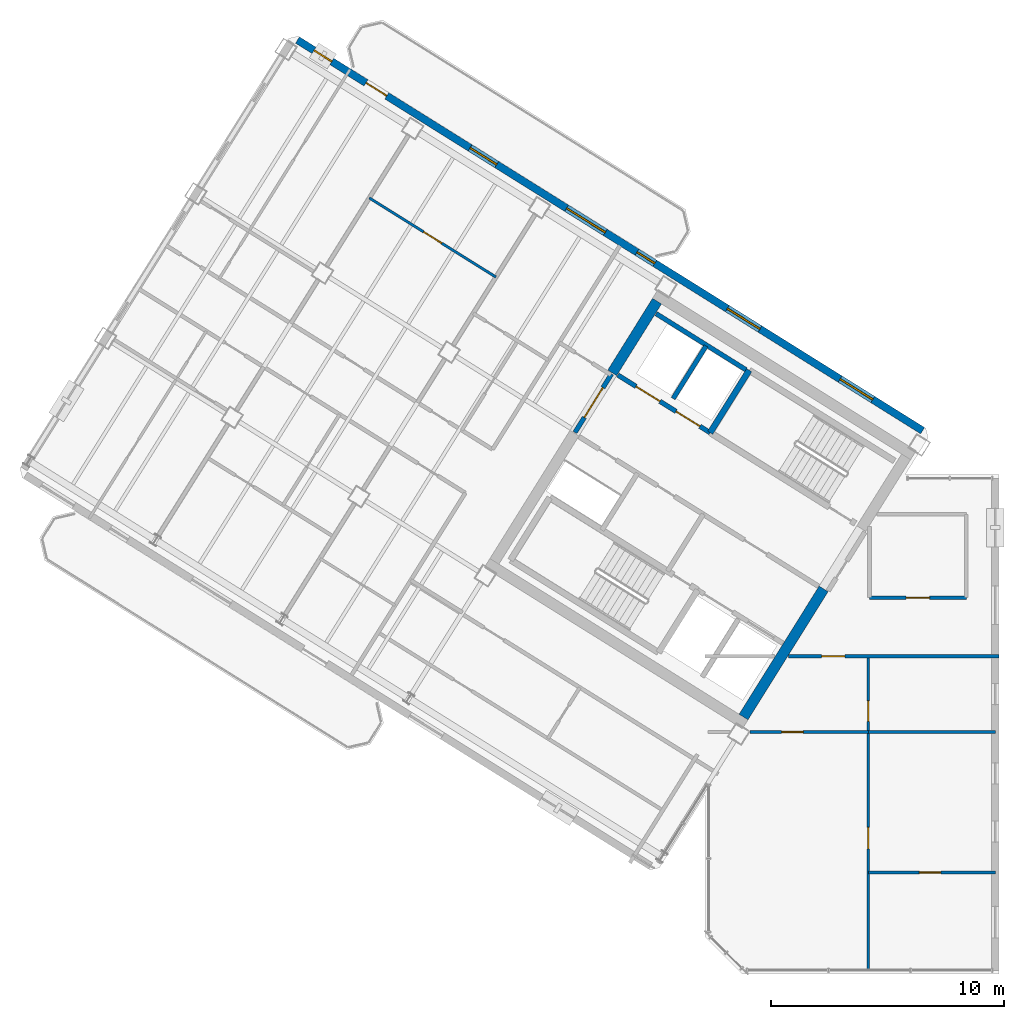
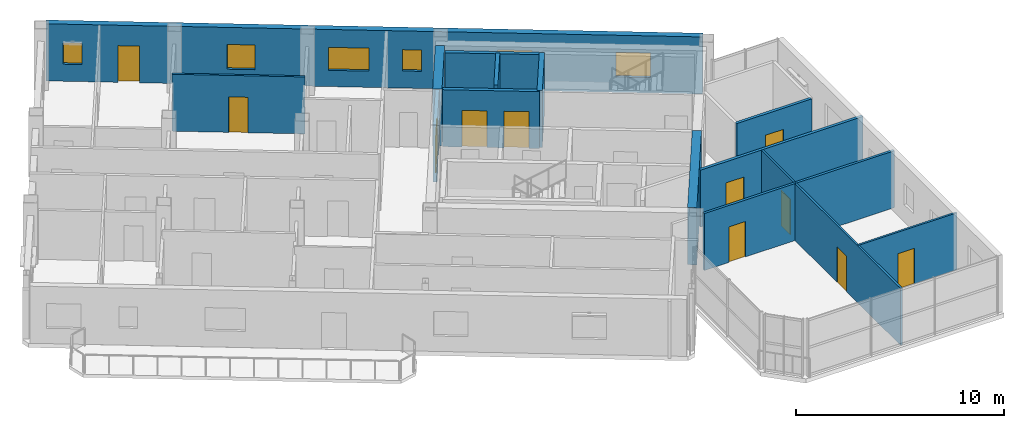
# One storey, part 10 of 15: 15 walls, 11 doors, 6 windows, 17 openings.
"""IFC4 building model written with IfcOpenShell, lengths in metres."""

from ifc_helpers import new_model, si_unit, direction, frame, frame_2d, origin, place, context, subcontext, project, spatial, rectangle, extrude, source, transform, mapped, material, layer, layer_set, type_object, element, fill, save


model = new_model("IFC4")

# Units and contexts
model_context = context("Model", 3, precision=1e-05, world=origin(), true_north=direction((0.0, 1.0)))
body_context = subcontext(model_context, "Body", "Model", "MODEL_VIEW")
ifc_project = project(units=[si_unit("LENGTHUNIT", "METRE"), si_unit("AREAUNIT", "SQUARE_METRE"), si_unit("VOLUMEUNIT", "CUBIC_METRE"), si_unit("PLANEANGLEUNIT", "RADIAN"), si_unit("MASSUNIT", "GRAM", prefix="KILO")], contexts=[model_context])

# Site, building, storey
site_placement = place(None, origin())
site = spatial("IfcSite", under=ifc_project, at=site_placement, CompositionType="ELEMENT")
building_placement = place(site_placement, origin())
building = spatial("IfcBuilding", under=site, at=building_placement, Name="Tlacorven Tower", CompositionType="ELEMENT")
storey_placement = place(building_placement, frame((0.0, 0.0, 266.39990234375)))
storey = spatial("IfcBuildingStorey", under=building, at=storey_placement, Name="L67", CompositionType="ELEMENT", Elevation=266.39990234375)

# Walls
ifc_material_1 = material(Name="Concrete C50/60", Category="concrete")
ifc_layer_1 = layer(ifc_material_1, 0.449951171875)
ifc_layer_set_1 = layer_set([ifc_layer_1], Name="Concrete C50/60")
wall_type_1 = type_object("IfcWallType", Name="WL-COR-450", PredefinedType="SHEAR", material=ifc_layer_set_1)
wall_1_placement = place(storey_placement, frame((36.683349609375, 18.30419921875, 0.0), z_axis=(0.0, 0.0, 1.0), x_axis=(-0.529904039071, -0.848057609704, 0.0)))
element("IfcWall", 1, at=wall_1_placement, inside=storey, type_object=wall_type_1, Name="L67 W core end wall E1.2", PredefinedType="SHEAR", context=body_context, shape_type="SweptSolid", body=[
    extrude(rectangle(XDim=6.47509765625, YDim=0.449951171875, at=frame_2d((3.237548828125, 0.0))), origin(), (0.0, 0.0, 1.0), 3.35009765625),
])
wall_2_placement = place(storey_placement, frame((29.543701171875, 30.636474609375, 0.0), z_axis=(0.0, 0.0, 1.0), x_axis=(-0.529902075036, -0.848058836916, 0.0)))
element("IfcWall", 2, at=wall_2_placement, inside=storey, type_object=wall_type_1, Name="L67 W core end wall E2.1", PredefinedType="SHEAR", context=body_context, shape_type="SweptSolid", body=[
    extrude(rectangle(XDim=3.625, YDim=0.449951171875, at=frame_2d((1.8125, 0.0))), origin(), (0.0, 0.0, 1.0), 3.35009765625),
])

# Wall, opening, door
ifc_material_2 = material(Name="Gypsum plasterboard acoustic partition", Category="gypsum")
ifc_layer_2 = layer(ifc_material_2, 0.159912109375)
ifc_layer_set_2 = layer_set([ifc_layer_2], Name="Gypsum plasterboard acoustic partition")
wall_type_2 = type_object("IfcWallType", Name="WL-DEM-160", PredefinedType="PARTITIONING", material=ifc_layer_set_2)
wall_3_placement = place(storey_placement, frame((35.178466796875, 15.419921875, 0.0), z_axis=(0.0, 0.0, 1.0), x_axis=(1.0, 0.0, 0.0)))
wall_3 = element("IfcWall", 3, at=wall_3_placement, inside=storey, type_object=wall_type_2, Name="L67 Knuckle Corridor South Wall", PredefinedType="PARTITIONING", context=body_context, shape_type="SweptSolid", body=[
    extrude(rectangle(XDim=9.021484375, YDim=0.159912109375, at=frame_2d((4.5107421875, 0.0))), origin(), (0.0, 0.0, 1.0), 3.340087890625),
])
opening_1_placement = place(wall_3_placement, frame((1.421630859375, 0.0, 0.0)))
opening_1 = element("IfcOpeningElement", 4, at=opening_1_placement, cuts=wall_3, Name="Opening D11", PredefinedType="OPENING", context=body_context, shape_type="SweptSolid", body=[
    extrude(rectangle(XDim=1.0, YDim=2.10009765625, at=frame_2d((0.5, 1.050048828125))), frame((0.0, 0.08984375, 0.0), z_axis=(0.0, -1.0, 0.0), x_axis=(1.0, 0.0, 0.0)), (0.0, 0.0, 1.0), 0.179931640625),
])
ifc_material_3 = material(Name="Fire-rated steel door assembly", Category="steel")
door_type_1 = type_object("IfcDoorType", Name="DR-FLT-FD60-1000", OperationType="NOTDEFINED", PredefinedType="DOOR", material=ifc_material_3)
shared_shape_1 = source(origin(), body_context, "Body", "SweptSolid", [
    extrude(rectangle(XDim=1.0, YDim=2.10009765625, at=frame_2d((0.5, 1.050048828125))), frame((0.0, 0.02490234375, 0.0), z_axis=(0.0, -1.0, 0.0), x_axis=(1.0, 0.0, 0.0)), (0.0, 0.0, 1.0), 0.050048828125),
])
door_1_placement = place(opening_1_placement, frame((1.0, 0.0, 0.0), z_axis=(0.0, 0.0, 1.0), x_axis=(-1.0, 0.0, 0.0)))
door_1 = element("IfcDoor", 5, at=door_1_placement, inside=storey, type_object=door_type_1, Name="L67 door 039", OperationType="SINGLE_SWING_LEFT", OverallHeight=2.10009765625, OverallWidth=1.0, PredefinedType="DOOR", context=body_context, shape_type="MappedRepresentation", body=[
    mapped(shared_shape_1, transform((0.0, 0.0, 0.0), scale=1.0)),
])
fill(opening_1, door_1)

wall_4_placement = place(storey_placement, frame((38.64990234375, 17.929931640625, 0.0), z_axis=(0.0, 0.0, 1.0), x_axis=(1.0, 0.0, 0.0)))
wall_4 = element("IfcWall", 6, at=wall_4_placement, inside=storey, type_object=wall_type_2, Name="L67 partition 50", PredefinedType="PARTITIONING", context=body_context, shape_type="SweptSolid", body=[
    extrude(rectangle(XDim=4.150146484375, YDim=0.159912109375, at=frame_2d((2.0751953125, 0.0))), origin(), (0.0, 0.0, 1.0), 3.340087890625),
])
opening_2_placement = place(wall_4_placement, frame((1.574951171875, 0.0, 0.0)))
opening_2 = element("IfcOpeningElement", 7, at=opening_2_placement, cuts=wall_4, Name="Opening D11", PredefinedType="OPENING", context=body_context, shape_type="SweptSolid", body=[
    extrude(rectangle(XDim=1.0, YDim=2.10009765625, at=frame_2d((0.5, 1.050048828125))), frame((0.0, 0.08984375, 0.0), z_axis=(0.0, -1.0, 0.0), x_axis=(1.0, 0.0, 0.0)), (0.0, 0.0, 1.0), 0.179931640625),
])
door_2_placement = place(opening_2_placement, origin())
door_2 = element("IfcDoor", 8, at=door_2_placement, inside=storey, type_object=door_type_1, Name="L67 door 035", OperationType="SINGLE_SWING_RIGHT", OverallHeight=2.10009765625, OverallWidth=1.0, PredefinedType="DOOR", context=body_context, shape_type="MappedRepresentation", body=[
    mapped(shared_shape_1, transform((0.0, 0.0, 0.0), scale=1.0)),
])
fill(opening_2, door_2)

# Wall, openings, door, windows
ifc_material_4 = material(Name="Precast concrete C45/55", Category="concrete")
ifc_layer_3 = layer(ifc_material_4, 0.320068359375)
ifc_layer_set_3 = layer_set([ifc_layer_3], Name="Precast concrete C45/55")
wall_type_3 = type_object("IfcWallType", Name="WL-EXT-320", PredefinedType="STANDARD", material=ifc_layer_set_3)
wall_5_placement = place(storey_placement, frame((14.13818359375, 41.825439453125, 0.0), z_axis=(0.0, 0.0, 1.0), x_axis=(0.848046498049, -0.529921821731, 0.0)))
wall_5 = element("IfcWall", 9, at=wall_5_placement, inside=storey, type_object=wall_type_3, Name="L67 Masonry-Frame Recessed Facade Wall 4", PredefinedType="STANDARD", context=body_context, shape_type="SweptSolid", body=[
    extrude(rectangle(XDim=31.587646484375, YDim=0.320068359375, at=frame_2d((15.7939453125, 0.0))), origin(), (0.0, 0.0, 1.0), 3.35009765625),
])
opening_3_placement = place(wall_5_placement, frame((3.4599609375, 0.0, 0.0)))
opening_3 = element("IfcOpeningElement", 10, at=opening_3_placement, cuts=wall_5, Name="Opening D06", PredefinedType="OPENING", context=body_context, shape_type="SweptSolid", body=[
    extrude(rectangle(XDim=1.050048828125, YDim=2.14990234375, at=frame_2d((0.52490234375, 1.074951171875))), frame((0.0, 0.169921875, 0.0), z_axis=(0.0, -1.0, 0.0), x_axis=(1.0, 0.0, 0.0)), (0.0, 0.0, 1.0), 0.340087890625),
])
opening_4_placement = place(wall_5_placement, frame((0.831298828125, 0.0, 1.0)))
opening_4 = element("IfcOpeningElement", 11, at=opening_4_placement, cuts=wall_5, Name="Opening WN05", PredefinedType="OPENING", context=body_context, shape_type="SweptSolid", body=[
    extrude(rectangle(XDim=0.89990234375, YDim=1.25, at=frame_2d((0.449951171875, 0.625))), frame((0.0, 0.169921875, 0.0), z_axis=(0.0, -1.0, 0.0), x_axis=(1.0, 0.0, 0.0)), (0.0, 0.0, 1.0), 0.340087890625),
])
opening_5_placement = place(wall_5_placement, frame((8.71875, 0.0, 0.89990234375)))
opening_5 = element("IfcOpeningElement", 12, at=opening_5_placement, cuts=wall_5, Name="Opening WN08", PredefinedType="OPENING", context=body_context, shape_type="SweptSolid", body=[
    extrude(rectangle(XDim=1.35009765625, YDim=1.449951171875, at=frame_2d((0.675048828125, 0.72509765625))), frame((0.0, 0.169921875, 0.0), z_axis=(0.0, -1.0, 0.0), x_axis=(1.0, 0.0, 0.0)), (0.0, 0.0, 1.0), 0.340087890625),
])
opening_6_placement = place(wall_5_placement, frame((13.5986328125, 0.0, 0.949951171875)))
opening_6 = element("IfcOpeningElement", 13, at=opening_6_placement, cuts=wall_5, Name="Opening WN09", PredefinedType="OPENING", context=body_context, shape_type="SweptSolid", body=[
    extrude(rectangle(XDim=1.949951171875, YDim=1.35009765625, at=frame_2d((0.97509765625, 0.675048828125))), frame((0.0, 0.169921875, 0.0), z_axis=(0.0, -1.0, 0.0), x_axis=(1.0, 0.0, 0.0)), (0.0, 0.0, 1.0), 0.340087890625),
])
opening_7_placement = place(wall_5_placement, frame((17.15380859375, 0.0, 1.0)))
opening_7 = element("IfcOpeningElement", 14, at=opening_7_placement, cuts=wall_5, Name="Opening WN05", PredefinedType="OPENING", context=body_context, shape_type="SweptSolid", body=[
    extrude(rectangle(XDim=0.89990234375, YDim=1.25, at=frame_2d((0.449951171875, 0.625))), frame((0.0, 0.169921875, 0.0), z_axis=(0.0, -1.0, 0.0), x_axis=(1.0, 0.0, 0.0)), (0.0, 0.0, 1.0), 0.340087890625),
])
opening_8_placement = place(wall_5_placement, frame((21.71875, 0.0, 0.89990234375)))
opening_8 = element("IfcOpeningElement", 15, at=opening_8_placement, cuts=wall_5, Name="Opening WN07", PredefinedType="OPENING", context=body_context, shape_type="SweptSolid", body=[
    extrude(rectangle(XDim=1.64990234375, YDim=1.449951171875, at=frame_2d((0.824951171875, 0.72509765625))), frame((0.0, 0.169921875, 0.0), z_axis=(0.0, -1.0, 0.0), x_axis=(1.0, 0.0, 0.0)), (0.0, 0.0, 1.0), 0.340087890625),
])
opening_9_placement = place(wall_5_placement, frame((27.418701171875, 0.0, 0.89990234375)))
opening_9 = element("IfcOpeningElement", 16, at=opening_9_placement, cuts=wall_5, Name="Opening WN07", PredefinedType="OPENING", context=body_context, shape_type="SweptSolid", body=[
    extrude(rectangle(XDim=1.64990234375, YDim=1.449951171875, at=frame_2d((0.824951171875, 0.72509765625))), frame((0.0, 0.169921875, 0.0), z_axis=(0.0, -1.0, 0.0), x_axis=(1.0, 0.0, 0.0)), (0.0, 0.0, 1.0), 0.340087890625),
])
ifc_material_5 = material(Name="Powder-coated aluminium and timber door", Category="wood")
door_type_2 = type_object("IfcDoorType", Name="DR-EXT-BALC-1050", OperationType="NOTDEFINED", PredefinedType="DOOR", material=ifc_material_5)
shared_shape_2 = source(origin(), body_context, "Body", "SweptSolid", [
    extrude(rectangle(XDim=1.050048828125, YDim=2.14990234375, at=frame_2d((0.52490234375, 1.074951171875))), frame((0.0, 0.02490234375, 0.0), z_axis=(0.0, -1.0, 0.0), x_axis=(1.0, 0.0, 0.0)), (0.0, 0.0, 1.0), 0.050048828125),
])
door_3_placement = place(opening_3_placement, origin())
door_3 = element("IfcDoor", 17, at=door_3_placement, inside=storey, type_object=door_type_2, Name="L67 Outdoor Access Door BAL-L67-W-IN", OperationType="SINGLE_SWING_RIGHT", OverallHeight=2.14990234375, OverallWidth=1.050048828125, PredefinedType="DOOR", context=body_context, shape_type="MappedRepresentation", body=[
    mapped(shared_shape_2, transform((0.0, 0.0, 0.0), scale=1.0)),
])
fill(opening_3, door_3)
ifc_material_6 = material(Name="Dark solar low-E double glazing in anodised aluminium frame", Category="aluminium")
window_type_1 = type_object("IfcWindowType", Name="WN-APT-0900X1350", PartitioningType="SINGLE_PANEL", PredefinedType="WINDOW", material=ifc_material_6)
shared_shape_3 = source(origin(), body_context, "Body", "SweptSolid", [
    extrude(rectangle(XDim=0.89990234375, YDim=1.25, at=frame_2d((0.449951171875, 0.625))), frame((0.0, 0.030029296875, 0.0), z_axis=(0.0, -1.0, 0.0), x_axis=(1.0, 0.0, 0.0)), (0.0, 0.0, 1.0), 0.06005859375),
])
window_1_placement = place(opening_4_placement, origin())
window_1 = element("IfcWindow", 18, at=window_1_placement, inside=storey, type_object=window_type_1, Name="L67 Recessed Masonry-Frame Window L67-04.1", OverallHeight=1.25, OverallWidth=0.89990234375, PartitioningType="SINGLE_PANEL", PredefinedType="WINDOW", context=body_context, shape_type="MappedRepresentation", body=[
    mapped(shared_shape_3, transform((0.0, 0.0, 0.0), scale=1.0)),
])
fill(opening_4, window_1)
window_2_placement = place(opening_7_placement, origin())
window_2 = element("IfcWindow", 19, at=window_2_placement, inside=storey, type_object=window_type_1, Name="L67 Recessed Masonry-Frame Window L67-04.4", OverallHeight=1.25, OverallWidth=0.89990234375, PartitioningType="SINGLE_PANEL", PredefinedType="WINDOW", context=body_context, shape_type="MappedRepresentation", body=[
    mapped(shared_shape_3, transform((0.0, 0.0, 0.0), scale=1.0)),
])
fill(opening_7, window_2)
window_type_2 = type_object("IfcWindowType", Name="WN-APT-1650X1600", PartitioningType="SINGLE_PANEL", PredefinedType="WINDOW", material=ifc_material_6)
shared_shape_4 = source(origin(), body_context, "Body", "SweptSolid", [
    extrude(rectangle(XDim=1.64990234375, YDim=1.449951171875, at=frame_2d((0.824951171875, 0.72509765625))), frame((0.0, 0.030029296875, 0.0), z_axis=(0.0, -1.0, 0.0), x_axis=(1.0, 0.0, 0.0)), (0.0, 0.0, 1.0), 0.06005859375),
])
window_3_placement = place(opening_8_placement, origin())
window_3 = element("IfcWindow", 20, at=window_3_placement, inside=storey, type_object=window_type_2, Name="L67 Recessed Masonry-Frame Window L67-04.5", OverallHeight=1.449951171875, OverallWidth=1.64990234375, PartitioningType="SINGLE_PANEL", PredefinedType="WINDOW", context=body_context, shape_type="MappedRepresentation", body=[
    mapped(shared_shape_4, transform((0.0, 0.0, 0.0), scale=1.0)),
])
fill(opening_8, window_3)
window_4_placement = place(opening_9_placement, origin())
window_4 = element("IfcWindow", 21, at=window_4_placement, inside=storey, type_object=window_type_2, Name="L67 Recessed Masonry-Frame Window L67-04.6", OverallHeight=1.449951171875, OverallWidth=1.64990234375, PartitioningType="SINGLE_PANEL", PredefinedType="WINDOW", context=body_context, shape_type="MappedRepresentation", body=[
    mapped(shared_shape_4, transform((0.0, 0.0, 0.0), scale=1.0)),
])
fill(opening_9, window_4)
window_type_3 = type_object("IfcWindowType", Name="WN-APT-1350X1550", PartitioningType="SINGLE_PANEL", PredefinedType="WINDOW", material=ifc_material_6)
shared_shape_5 = source(origin(), body_context, "Body", "SweptSolid", [
    extrude(rectangle(XDim=1.35009765625, YDim=1.449951171875, at=frame_2d((0.675048828125, 0.72509765625))), frame((0.0, 0.030029296875, 0.0), z_axis=(0.0, -1.0, 0.0), x_axis=(1.0, 0.0, 0.0)), (0.0, 0.0, 1.0), 0.06005859375),
])
window_5_placement = place(opening_5_placement, origin())
window_5 = element("IfcWindow", 22, at=window_5_placement, inside=storey, type_object=window_type_3, Name="L67 Recessed Masonry-Frame Window L67-04.2", OverallHeight=1.449951171875, OverallWidth=1.35009765625, PartitioningType="SINGLE_PANEL", PredefinedType="WINDOW", context=body_context, shape_type="MappedRepresentation", body=[
    mapped(shared_shape_5, transform((0.0, 0.0, 0.0), scale=1.0)),
])
fill(opening_5, window_5)
window_type_4 = type_object("IfcWindowType", Name="WN-GAL-1950X1450", PartitioningType="SINGLE_PANEL", PredefinedType="WINDOW", material=ifc_material_6)
shared_shape_6 = source(origin(), body_context, "Body", "SweptSolid", [
    extrude(rectangle(XDim=1.949951171875, YDim=1.35009765625, at=frame_2d((0.97509765625, 0.675048828125))), frame((0.0, 0.030029296875, 0.0), z_axis=(0.0, -1.0, 0.0), x_axis=(1.0, 0.0, 0.0)), (0.0, 0.0, 1.0), 0.06005859375),
])
window_6_placement = place(opening_6_placement, origin())
window_6 = element("IfcWindow", 23, at=window_6_placement, inside=storey, type_object=window_type_4, Name="L67 Recessed Masonry-Frame Window L67-04.3", OverallHeight=1.35009765625, OverallWidth=1.949951171875, PartitioningType="SINGLE_PANEL", PredefinedType="WINDOW", context=body_context, shape_type="MappedRepresentation", body=[
    mapped(shared_shape_6, transform((0.0, 0.0, 0.0), scale=1.0)),
])
fill(opening_6, window_6)

# Wall, opening, door
ifc_material_7 = material(Name="Gypsum plasterboard partition", Category="gypsum")
ifc_layer_4 = layer(ifc_material_7, 0.110107421875)
ifc_layer_set_4 = layer_set([ifc_layer_4], Name="Gypsum plasterboard partition")
wall_type_4 = type_object("IfcWallType", Name="WL-INT-110", PredefinedType="PARTITIONING", material=ifc_layer_set_4)
wall_6_placement = place(storey_placement, frame((22.6416015625, 31.66796875, 0.0), z_axis=(0.0, 0.0, 1.0), x_axis=(-0.84806687439, 0.529889211593, 0.0)))
wall_6 = element("IfcWall", 24, at=wall_6_placement, inside=storey, type_object=wall_type_4, Name="L67 partition 39", PredefinedType="PARTITIONING", context=body_context, shape_type="SweptSolid", body=[
    extrude(rectangle(XDim=6.400146484375, YDim=0.110107421875, at=frame_2d((3.2001953125, 0.0))), origin(), (0.0, 0.0, 1.0), 3.340087890625),
])
opening_10_placement = place(wall_6_placement, frame((2.739990234375, 0.0, 0.0)))
opening_10 = element("IfcOpeningElement", 25, at=opening_10_placement, cuts=wall_6, Name="Opening D12", PredefinedType="OPENING", context=body_context, shape_type="SweptSolid", body=[
    extrude(rectangle(XDim=0.919921875, YDim=2.080078125, at=frame_2d((0.4599609375, 1.0400390625))), frame((0.0, 0.06494140625, 0.0), z_axis=(0.0, -1.0, 0.0), x_axis=(1.0, 0.0, 0.0)), (0.0, 0.0, 1.0), 0.130126953125),
])
door_type_3 = type_object("IfcDoorType", Name="DR-INT-ROOM-0920", OperationType="NOTDEFINED", PredefinedType="DOOR", material=ifc_material_5)
shared_shape_7 = source(origin(), body_context, "Body", "SweptSolid", [
    extrude(rectangle(XDim=0.919921875, YDim=2.080078125, at=frame_2d((0.4599609375, 1.0400390625))), frame((0.0, 0.02490234375, 0.0), z_axis=(0.0, -1.0, 0.0), x_axis=(1.0, 0.0, 0.0)), (0.0, 0.0, 1.0), 0.050048828125),
])
door_4_placement = place(opening_10_placement, origin())
door_4 = element("IfcDoor", 26, at=door_4_placement, inside=storey, type_object=door_type_3, Name="L67 door 026", OperationType="SINGLE_SWING_LEFT", OverallHeight=2.080078125, OverallWidth=0.919921875, PredefinedType="DOOR", context=body_context, shape_type="MappedRepresentation", body=[
    mapped(shared_shape_7, transform((0.0, 0.0, 0.0), scale=1.0)),
])
fill(opening_10, door_4)

# Wall, openings, doors
wall_7_placement = place(storey_placement, frame((38.60009765625, 1.9599609375, 0.0), z_axis=(0.0, 0.0, 1.0), x_axis=(0.0, 1.0, 0.0)))
wall_7 = element("IfcWall", 27, at=wall_7_placement, inside=storey, type_object=wall_type_4, Name="L67 partition 54", PredefinedType="PARTITIONING", context=body_context, shape_type="SweptSolid", body=[
    extrude(rectangle(XDim=13.4599609375, YDim=0.110107421875, at=frame_2d((6.72998046875, 0.0))), origin(), (0.0, 0.0, 1.0), 3.340087890625),
])
opening_11_placement = place(wall_7_placement, frame((5.199951171875, 0.0, 0.0)))
opening_11 = element("IfcOpeningElement", 28, at=opening_11_placement, cuts=wall_7, Name="Opening D12", PredefinedType="OPENING", context=body_context, shape_type="SweptSolid", body=[
    extrude(rectangle(XDim=0.919921875, YDim=2.080078125, at=frame_2d((0.4599609375, 1.0400390625))), frame((0.0, 0.06494140625, 0.0), z_axis=(0.0, -1.0, 0.0), x_axis=(1.0, 0.0, 0.0)), (0.0, 0.0, 1.0), 0.130126953125),
])
opening_12_placement = place(wall_7_placement, frame((10.669921875, 0.0, 0.0)))
opening_12 = element("IfcOpeningElement", 29, at=opening_12_placement, cuts=wall_7, Name="Opening D13", PredefinedType="OPENING", context=body_context, shape_type="SweptSolid", body=[
    extrude(rectangle(XDim=0.8798828125, YDim=2.080078125, at=frame_2d((0.43994140625, 1.0400390625))), frame((0.0, 0.06494140625, 0.0), z_axis=(0.0, -1.0, 0.0), x_axis=(1.0, 0.0, 0.0)), (0.0, 0.0, 1.0), 0.130126953125),
])
door_type_4 = type_object("IfcDoorType", Name="DR-INT-WET-0880", OperationType="NOTDEFINED", PredefinedType="DOOR", material=ifc_material_5)
shared_shape_8 = source(origin(), body_context, "Body", "SweptSolid", [
    extrude(rectangle(XDim=0.8798828125, YDim=2.080078125, at=frame_2d((0.43994140625, 1.0400390625))), frame((0.0, 0.02490234375, 0.0), z_axis=(0.0, -1.0, 0.0), x_axis=(1.0, 0.0, 0.0)), (0.0, 0.0, 1.0), 0.050048828125),
])
door_5_placement = place(opening_12_placement, origin())
door_5 = element("IfcDoor", 30, at=door_5_placement, inside=storey, type_object=door_type_4, Name="L67 door 041", OperationType="SINGLE_SWING_LEFT", OverallHeight=2.080078125, OverallWidth=0.8798828125, PredefinedType="DOOR", context=body_context, shape_type="MappedRepresentation", body=[
    mapped(shared_shape_8, transform((0.0, 0.0, 0.0), scale=1.0)),
])
fill(opening_12, door_5)
door_6_placement = place(opening_11_placement, origin())
door_6 = element("IfcDoor", 31, at=door_6_placement, inside=storey, type_object=door_type_3, Name="L67 door 037", OperationType="SINGLE_SWING_LEFT", OverallHeight=2.080078125, OverallWidth=0.919921875, PredefinedType="DOOR", context=body_context, shape_type="MappedRepresentation", body=[
    mapped(shared_shape_7, transform((0.0, 0.0, 0.0), scale=1.0)),
])
fill(opening_11, door_6)

# Wall, opening, door
wall_8_placement = place(storey_placement, frame((38.60009765625, 6.14990234375, 0.0), z_axis=(0.0, 0.0, 1.0), x_axis=(1.0, 0.0, 0.0)))
wall_8 = element("IfcWall", 32, at=wall_8_placement, inside=storey, type_object=wall_type_4, Name="L67 partition 57", PredefinedType="PARTITIONING", context=body_context, shape_type="SweptSolid", body=[
    extrude(rectangle(XDim=5.4599609375, YDim=0.110107421875, at=frame_2d((2.72998046875, 0.0))), origin(), (0.0, 0.0, 1.0), 3.340087890625),
])
opening_13_placement = place(wall_8_placement, frame((2.18994140625, 0.0, 0.0)))
opening_13 = element("IfcOpeningElement", 33, at=opening_13_placement, cuts=wall_8, Name="Opening D12", PredefinedType="OPENING", context=body_context, shape_type="SweptSolid", body=[
    extrude(rectangle(XDim=0.919921875, YDim=2.080078125, at=frame_2d((0.4599609375, 1.0400390625))), frame((0.0, 0.06494140625, 0.0), z_axis=(0.0, -1.0, 0.0), x_axis=(1.0, 0.0, 0.0)), (0.0, 0.0, 1.0), 0.130126953125),
])
door_7_placement = place(opening_13_placement, origin())
door_7 = element("IfcDoor", 34, at=door_7_placement, inside=storey, type_object=door_type_3, Name="L67 door 038", OperationType="SINGLE_SWING_RIGHT", OverallHeight=2.080078125, OverallWidth=0.919921875, PredefinedType="DOOR", context=body_context, shape_type="MappedRepresentation", body=[
    mapped(shared_shape_7, transform((0.0, 0.0, 0.0), scale=1.0)),
])
fill(opening_13, door_7)

ifc_material_8 = material(Name="Moisture-resistant gypsum plumbing wall", Category="gypsum")
ifc_layer_5 = layer(ifc_material_8, 0.139892578125)
ifc_layer_set_5 = layer_set([ifc_layer_5], Name="Moisture-resistant gypsum plumbing wall")
wall_type_5 = type_object("IfcWallType", Name="WL-PLM-140", PredefinedType="PLUMBINGWALL", material=ifc_layer_set_5)
wall_9_placement = place(storey_placement, frame((33.52490234375, 12.169921875, 0.0), z_axis=(0.0, 0.0, 1.0), x_axis=(1.0, 0.0, 0.0)))
wall_9 = element("IfcWall", 35, at=wall_9_placement, inside=storey, type_object=wall_type_5, Name="L67 partition 55", PredefinedType="PLUMBINGWALL", context=body_context, shape_type="SweptSolid", body=[
    extrude(rectangle(XDim=5.0751953125, YDim=0.139892578125, at=frame_2d((2.53759765625, 0.0))), origin(), (0.0, 0.0, 1.0), 3.340087890625),
])
opening_14_placement = place(wall_9_placement, frame((1.364990234375, 0.0, 0.0)))
opening_14 = element("IfcOpeningElement", 36, at=opening_14_placement, cuts=wall_9, Name="Opening D12", PredefinedType="OPENING", context=body_context, shape_type="SweptSolid", body=[
    extrude(rectangle(XDim=0.919921875, YDim=2.080078125, at=frame_2d((0.4599609375, 1.0400390625))), frame((0.0, 0.080078125, 0.0), z_axis=(0.0, -1.0, 0.0), x_axis=(1.0, 0.0, 0.0)), (0.0, 0.0, 1.0), 0.159912109375),
])
door_8_placement = place(opening_14_placement, frame((0.919921875, 0.0, 0.0), z_axis=(0.0, 0.0, 1.0), x_axis=(-1.0, 0.0, 0.0)))
door_8 = element("IfcDoor", 37, at=door_8_placement, inside=storey, type_object=door_type_3, Name="L67 door 040", OperationType="SINGLE_SWING_RIGHT", OverallHeight=2.080078125, OverallWidth=0.919921875, PredefinedType="DOOR", context=body_context, shape_type="MappedRepresentation", body=[
    mapped(shared_shape_7, transform((0.0, 0.0, 0.0), scale=1.0)),
])
fill(opening_14, door_8)

# Wall
wall_10_placement = place(storey_placement, frame((38.60009765625, 12.169921875, 0.0), z_axis=(0.0, 0.0, 1.0), x_axis=(1.0, 0.0, 0.0)))
element("IfcWall", 38, at=wall_10_placement, inside=storey, type_object=wall_type_5, Name="L67 partition 56", PredefinedType="PLUMBINGWALL", context=body_context, shape_type="SweptSolid", body=[
    extrude(rectangle(XDim=5.4599609375, YDim=0.139892578125, at=frame_2d((2.72998046875, 0.0))), origin(), (0.0, 0.0, 1.0), 3.340087890625),
])

# Wall, openings, doors
ifc_material_9 = material(Name="Concrete C40/50", Category="concrete")
ifc_layer_6 = layer(ifc_material_9, 0.199951171875)
ifc_layer_set_6 = layer_set([ifc_layer_6], Name="Concrete C40/50")
wall_type_6 = type_object("IfcWallType", Name="WL-SHF-200", PredefinedType="STANDARD", material=ifc_layer_set_6)
wall_11_placement = place(storey_placement, frame((31.82177734375, 24.99755859375, 0.0), z_axis=(0.0, 0.0, 1.0), x_axis=(-0.848054125777, 0.529909614701, 0.0)))
wall_11 = element("IfcWall", 39, at=wall_11_placement, inside=storey, type_object=wall_type_6, Name="L67 Core W South Lift Shaft Wall", PredefinedType="STANDARD", context=body_context, shape_type="SweptSolid", body=[
    extrude(rectangle(XDim=4.66796875, YDim=0.199951171875, at=frame_2d((2.333984375, 0.0))), origin(), (0.0, 0.0, 1.0), 3.340087890625),
])
opening_15_placement = place(wall_11_placement, frame((0.52001953125, 0.0, 0.0)))
opening_15 = element("IfcOpeningElement", 40, at=opening_15_placement, cuts=wall_11, Name="Opening LD02", PredefinedType="OPENING", context=body_context, shape_type="SweptSolid", body=[
    extrude(rectangle(XDim=1.199951171875, YDim=2.14990234375, at=frame_2d((0.60009765625, 1.074951171875))), frame((0.0, 0.10986328125, 0.0), z_axis=(0.0, -1.0, 0.0), x_axis=(1.0, 0.0, 0.0)), (0.0, 0.0, 1.0), 0.219970703125),
])
opening_16_placement = place(wall_11_placement, frame((2.5400390625, 0.0, 0.0)))
opening_16 = element("IfcOpeningElement", 41, at=opening_16_placement, cuts=wall_11, Name="Opening LD02", PredefinedType="OPENING", context=body_context, shape_type="SweptSolid", body=[
    extrude(rectangle(XDim=1.199951171875, YDim=2.14990234375, at=frame_2d((0.60009765625, 1.074951171875))), frame((0.0, 0.10986328125, 0.0), z_axis=(0.0, -1.0, 0.0), x_axis=(1.0, 0.0, 0.0)), (0.0, 0.0, 1.0), 0.219970703125),
])
door_type_5 = type_object("IfcDoorType", Name="DR-LFT-SLID-1200", OperationType="DOUBLE_DOOR_SLIDING", PredefinedType="DOOR", material=ifc_material_3)
shared_shape_9 = source(origin(), body_context, "Body", "SweptSolid", [
    extrude(rectangle(XDim=1.199951171875, YDim=2.14990234375, at=frame_2d((0.60009765625, 1.074951171875))), frame((0.0, 0.02490234375, 0.0), z_axis=(0.0, -1.0, 0.0), x_axis=(1.0, 0.0, 0.0)), (0.0, 0.0, 1.0), 0.050048828125),
])
door_9_placement = place(opening_15_placement, origin())
door_9 = element("IfcDoor", 42, at=door_9_placement, inside=storey, type_object=door_type_5, Name="L67 Lift PL-H1 Sliding Landing Door", OperationType="DOUBLE_DOOR_SLIDING", OverallHeight=2.14990234375, OverallWidth=1.199951171875, PredefinedType="DOOR", context=body_context, shape_type="MappedRepresentation", body=[
    mapped(shared_shape_9, transform((0.0, 0.0, 0.0), scale=1.0)),
])
fill(opening_15, door_9)
door_10_placement = place(opening_16_placement, origin())
door_10 = element("IfcDoor", 43, at=door_10_placement, inside=storey, type_object=door_type_5, Name="L67 Lift PL-H2 Sliding Landing Door", OperationType="DOUBLE_DOOR_SLIDING", OverallHeight=2.14990234375, OverallWidth=1.199951171875, PredefinedType="DOOR", context=body_context, shape_type="MappedRepresentation", body=[
    mapped(shared_shape_9, transform((0.0, 0.0, 0.0), scale=1.0)),
])
fill(opening_16, door_10)

# Walls
wall_12_placement = place(storey_placement, frame((31.645263671875, 28.716064453125, 0.0), z_axis=(0.0, 0.0, 1.0), x_axis=(-0.52986693015, -0.848080795876, 0.0)))
element("IfcWall", 44, at=wall_12_placement, inside=storey, type_object=wall_type_6, Name="L67 partition 12", PredefinedType="STANDARD", context=body_context, shape_type="SweptSolid", body=[
    extrude(rectangle(XDim=2.659912109375, YDim=0.199951171875, at=frame_2d((1.330078125, 0.0))), origin(), (0.0, 0.0, 1.0), 3.340087890625),
])
wall_13_placement = place(storey_placement, frame((33.362548828125, 27.690185546875, 0.0), z_axis=(0.0, 0.0, 1.0), x_axis=(-0.84804957148, 0.529916903215, 0.0)))
element("IfcWall", 45, at=wall_13_placement, inside=storey, type_object=wall_type_6, Name="L67 partition 14", PredefinedType="STANDARD", context=body_context, shape_type="SweptSolid", body=[
    extrude(rectangle(XDim=4.547607421875, YDim=0.199951171875, at=frame_2d((2.27392578125, 0.0))), origin(), (0.0, 0.0, 1.0), 3.340087890625),
])

# Wall, opening, door
wall_14_placement = place(storey_placement, frame((27.59619140625, 27.52001953125, 0.0), z_axis=(0.0, 0.0, 1.0), x_axis=(-0.529865479138, -0.848081702443, 0.0)))
wall_14 = element("IfcWall", 46, at=wall_14_placement, inside=storey, type_object=wall_type_6, Name="L67 partition 18", PredefinedType="STANDARD", context=body_context, shape_type="SweptSolid", body=[
    extrude(rectangle(XDim=2.9599609375, YDim=0.199951171875, at=frame_2d((1.47998046875, 0.0))), origin(), (0.0, 0.0, 1.0), 3.340087890625),
])
opening_17_placement = place(wall_14_placement, frame((0.699951171875, 0.0, 0.0)))
opening_17 = element("IfcOpeningElement", 47, at=opening_17_placement, cuts=wall_14, Name="Opening D10", PredefinedType="OPENING", context=body_context, shape_type="SweptSolid", body=[
    extrude(rectangle(XDim=1.5, YDim=2.14990234375, at=frame_2d((0.75, 1.074951171875))), frame((0.0, 0.10986328125, 0.0), z_axis=(0.0, -1.0, 0.0), x_axis=(1.0, 0.0, 0.0)), (0.0, 0.0, 1.0), 0.219970703125),
])
door_type_6 = type_object("IfcDoorType", Name="DR-LOB-FD60-1500", OperationType="DOUBLE_DOOR_SINGLE_SWING", PredefinedType="DOOR", material=ifc_material_3)
shared_shape_10 = source(origin(), body_context, "Body", "SweptSolid", [
    extrude(rectangle(XDim=1.5, YDim=2.14990234375, at=frame_2d((0.75, 1.074951171875))), frame((0.0, 0.02490234375, 0.0), z_axis=(0.0, -1.0, 0.0), x_axis=(1.0, 0.0, 0.0)), (0.0, 0.0, 1.0), 0.050048828125),
])
door_11_placement = place(opening_17_placement, origin())
door_11 = element("IfcDoor", 48, at=door_11_placement, inside=storey, type_object=door_type_6, Name="L67 door 011", OperationType="DOUBLE_DOOR_SINGLE_SWING", OverallHeight=2.14990234375, OverallWidth=1.5, PredefinedType="DOOR", context=body_context, shape_type="MappedRepresentation", body=[
    mapped(shared_shape_10, transform((0.0, 0.0, 0.0), scale=1.0)),
])
fill(opening_17, door_11)

# Wall
ifc_layer_7 = layer(ifc_material_1, 0.260009765625)
ifc_layer_set_7 = layer_set([ifc_layer_7], Name="Concrete C50/60")
wall_type_7 = type_object("IfcWallType", Name="WL-STW-260", PredefinedType="SHEAR", material=ifc_layer_set_7)
wall_15_placement = place(storey_placement, frame((33.496337890625, 27.677490234375, 0.0), z_axis=(0.0, 0.0, 1.0), x_axis=(-0.529908658664, -0.84805472316, 0.0)))
element("IfcWall", 49, at=wall_15_placement, inside=storey, type_object=wall_type_7, Name="L67 Stair W2 East Shear Wall", PredefinedType="SHEAR", context=body_context, shape_type="SweptSolid", body=[
    extrude(rectangle(XDim=3.16015625, YDim=0.260009765625, at=frame_2d((1.580078125, 0.0))), origin(), (0.0, 0.0, 1.0), 3.35009765625),
])

save(model, "model.ifc")
